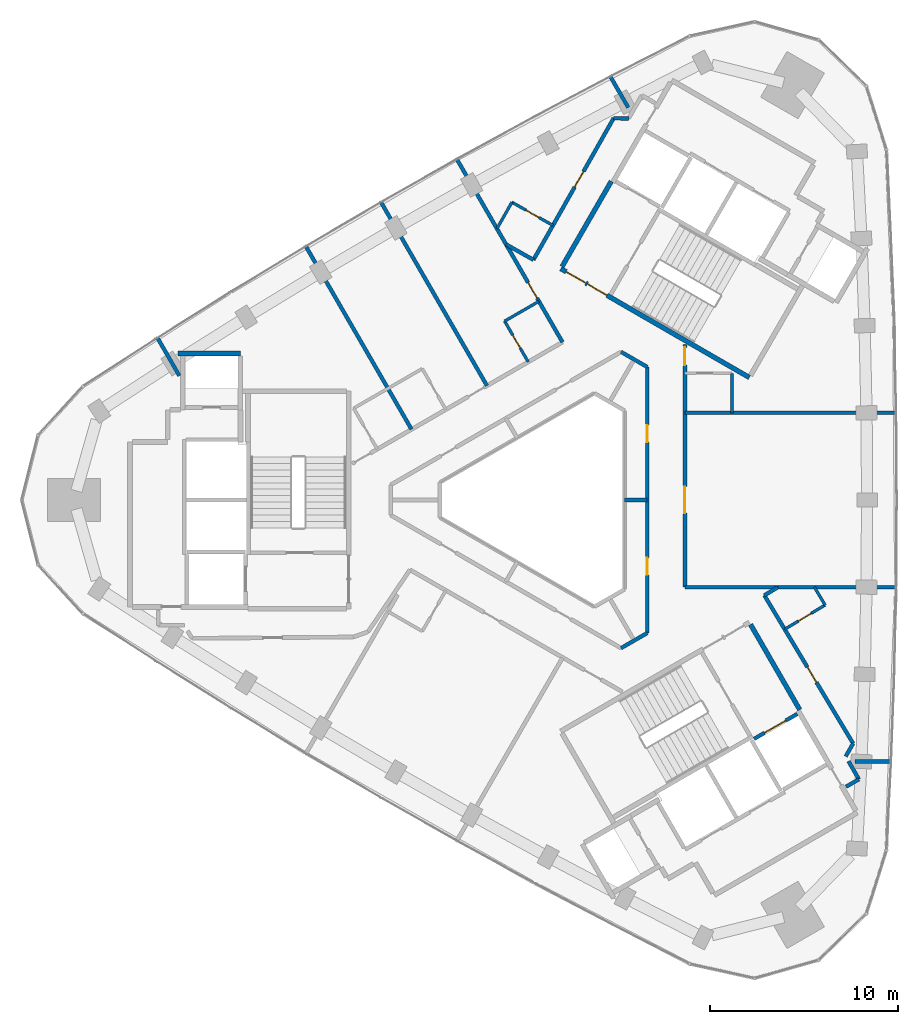
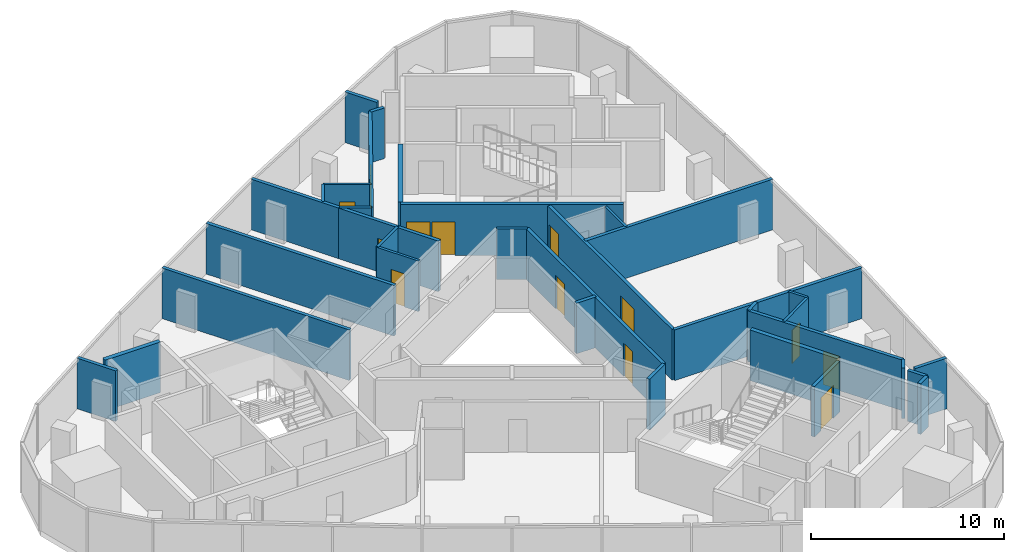
# One storey, part 9 of 11: 35 walls, 13 doors, 13 openings.
"""IFC4 building model written with IfcOpenShell, lengths in metres."""

from ifc_helpers import new_model, si_unit, direction, frame, frame_2d, origin, place, context, subcontext, project, spatial, rectangle, extrude, material, layer, layer_set, type_object, element, fill, save


model = new_model("IFC4")

# Units and contexts
model_context = context("Model", 3, precision=1e-05, world=origin(), true_north=direction((0.0, 1.0)))
body_context = subcontext(model_context, "Body", "Model", "MODEL_VIEW")
ifc_project = project(units=[si_unit("LENGTHUNIT", "METRE"), si_unit("AREAUNIT", "SQUARE_METRE"), si_unit("VOLUMEUNIT", "CUBIC_METRE"), si_unit("PLANEANGLEUNIT", "RADIAN"), si_unit("MASSUNIT", "GRAM", prefix="KILO")], contexts=[model_context])

# Site, building, storey
site_placement = place(None, origin())
site = spatial("IfcSite", under=ifc_project, at=site_placement, CompositionType="ELEMENT")
building_placement = place(site_placement, origin())
building = spatial("IfcBuilding", under=site, at=building_placement, Name="Tamra Quay Hotel Tower", CompositionType="ELEMENT")
storey_placement = place(building_placement, frame((0.0, 0.0, 253.800048828125)))
storey = spatial("IfcBuildingStorey", under=building, at=storey_placement, Name="L64", CompositionType="ELEMENT", Elevation=253.800048828125)

# Wall, opening, door
ifc_material_1 = material(Name="Concrete M70", Category="concrete")
ifc_layer_1 = layer(ifc_material_1, 0.199951171875)
ifc_layer_set_1 = layer_set([ifc_layer_1], Name="Concrete M70 core wall 200")
wall_type_1 = type_object("IfcWallType", Name="Concrete M70 core wall 200", PredefinedType="SHEAR", material=ifc_layer_set_1)
wall_1_placement = place(storey_placement, frame((10.666015625, -12.677734375, 0.0), z_axis=(0.0, 0.0, 1.0), x_axis=(0.866018407898, 0.500012117035, 0.0)))
wall_1 = element("IfcWall", 1, at=wall_1_placement, inside=storey, type_object=wall_type_1, Name="CW2", PredefinedType="SHEAR", context=body_context, shape_type="SweptSolid", body=[
    extrude(rectangle(XDim=2.65087890625, YDim=0.199951171875, at=frame_2d((1.325439453125, 0.0))), origin(), (0.0, 0.0, 1.0), 3.199951171875),
])
opening_1_placement = place(wall_1_placement, frame((0.65185546875, 0.0, 0.0)))
opening_1 = element("IfcOpeningElement", 2, at=opening_1_placement, cuts=wall_1, Name="Opening LD", PredefinedType="OPENING", context=body_context, shape_type="SweptSolid", body=[
    extrude(rectangle(XDim=1.300048828125, YDim=2.10009765625, at=frame_2d((0.64990234375, 1.050048828125))), frame((0.0, 0.10986328125, 0.0), z_axis=(0.0, -1.0, 0.0), x_axis=(1.0, 0.0, 0.0)), (0.0, 0.0, 1.0), 0.219970703125),
])
ifc_material_2 = material(Name="Landing door LD 1300 sliding to right")
door_type_1 = type_object("IfcDoorType", Name="Landing door LD 1300 sliding to right", OperationType="NOTDEFINED", PredefinedType="DOOR", material=ifc_material_2)
door_1_placement = place(opening_1_placement, origin())
door_1 = element("IfcDoor", 3, at=door_1_placement, inside=storey, type_object=door_type_1, Name="LD", OperationType="SLIDING_TO_RIGHT", OverallHeight=2.10009765625, OverallWidth=1.300048828125, PredefinedType="DOOR", context=body_context, shape_type="SweptSolid", body=[
    extrude(rectangle(XDim=1.300048828125, YDim=2.10009765625, at=frame_2d((0.64990234375, 1.050048828125))), frame((0.0, 0.02490234375, 0.0), z_axis=(0.0, -1.0, 0.0), x_axis=(1.0, 0.0, 0.0)), (0.0, 0.0, 1.0), 0.050048828125),
])
fill(opening_1, door_1)

# Wall
ifc_layer_2 = layer(ifc_material_1, 0.25)
ifc_layer_set_2 = layer_set([ifc_layer_2], Name="Concrete M70 core wall 250")
wall_type_2 = type_object("IfcWallType", Name="Concrete M70 core wall 250", PredefinedType="SHEAR", material=ifc_layer_set_2)
wall_2_placement = place(storey_placement, frame((-19.900390625, 7.77490234375, 0.0), z_axis=(0.0, 0.0, 1.0), x_axis=(1.0, 0.0, 0.0)))
element("IfcWall", 4, at=wall_2_placement, inside=storey, type_object=wall_type_2, Name="CW1", PredefinedType="SHEAR", context=body_context, shape_type="SweptSolid", body=[
    extrude(rectangle(XDim=3.31298828125, YDim=0.25, at=frame_2d((1.656494140625, 0.0))), origin(), (0.0, 0.0, 1.0), 3.199951171875),
])

# Wall, openings, doors
wall_3_placement = place(storey_placement, frame((10.419921875, 6.497802734375, 0.0), z_axis=(0.0, 0.0, 1.0), x_axis=(-0.866021906294, 0.500006057782, 0.0)))
wall_3 = element("IfcWall", 5, at=wall_3_placement, inside=storey, type_object=wall_type_2, Name="CW1", PredefinedType="SHEAR", context=body_context, shape_type="SweptSolid", body=[
    extrude(rectangle(XDim=11.550048828125, YDim=0.25, at=frame_2d((5.77490234375, 0.0))), origin(), (0.0, 0.0, 1.0), 3.199951171875),
])
opening_2_placement = place(wall_3_placement, frame((10.02490234375, 0.0, 0.0)))
opening_2 = element("IfcOpeningElement", 6, at=opening_2_placement, cuts=wall_3, Name="Opening FD1", PredefinedType="OPENING", context=body_context, shape_type="SweptSolid", body=[
    extrude(rectangle(XDim=1.199951171875, YDim=2.10009765625, at=frame_2d((0.60009765625, 1.050048828125))), frame((0.0, 0.135009765625, 0.0), z_axis=(0.0, -1.0, 0.0), x_axis=(1.0, 0.0, 0.0)), (0.0, 0.0, 1.0), 0.27001953125),
])
opening_3_placement = place(wall_3_placement, frame((8.724853515625, 0.0, 0.0)))
opening_3 = element("IfcOpeningElement", 7, at=opening_3_placement, cuts=wall_3, Name="Opening FD1", PredefinedType="OPENING", context=body_context, shape_type="SweptSolid", body=[
    extrude(rectangle(XDim=1.199951171875, YDim=2.10009765625, at=frame_2d((0.60009765625, 1.050048828125))), frame((0.0, 0.135009765625, 0.0), z_axis=(0.0, -1.0, 0.0), x_axis=(1.0, 0.0, 0.0)), (0.0, 0.0, 1.0), 0.27001953125),
])
ifc_material_3 = material(Name="Core door FD1 1200x2100 LH")
door_type_2 = type_object("IfcDoorType", Name="Core door FD1 1200x2100 LH", OperationType="NOTDEFINED", PredefinedType="DOOR", material=ifc_material_3)
door_2_placement = place(opening_2_placement, origin())
door_2 = element("IfcDoor", 8, at=door_2_placement, inside=storey, type_object=door_type_2, Name="FD1", OperationType="SINGLE_SWING_LEFT", OverallHeight=2.10009765625, OverallWidth=1.199951171875, PredefinedType="DOOR", context=body_context, shape_type="SweptSolid", body=[
    extrude(rectangle(XDim=1.199951171875, YDim=2.10009765625, at=frame_2d((0.60009765625, 1.050048828125))), frame((0.0, 0.02490234375, 0.0), z_axis=(0.0, -1.0, 0.0), x_axis=(1.0, 0.0, 0.0)), (0.0, 0.0, 1.0), 0.050048828125),
])
fill(opening_2, door_2)
ifc_material_4 = material(Name="Core door FD1 1200x2100 RH")
door_type_3 = type_object("IfcDoorType", Name="Core door FD1 1200x2100 RH", OperationType="NOTDEFINED", PredefinedType="DOOR", material=ifc_material_4)
door_3_placement = place(opening_3_placement, origin())
door_3 = element("IfcDoor", 9, at=door_3_placement, inside=storey, type_object=door_type_3, Name="FD1", OperationType="SINGLE_SWING_RIGHT", OverallHeight=2.10009765625, OverallWidth=1.199951171875, PredefinedType="DOOR", context=body_context, shape_type="SweptSolid", body=[
    extrude(rectangle(XDim=1.199951171875, YDim=2.10009765625, at=frame_2d((0.60009765625, 1.050048828125))), frame((0.0, 0.02490234375, 0.0), z_axis=(0.0, -1.0, 0.0), x_axis=(1.0, 0.0, 0.0)), (0.0, 0.0, 1.0), 0.050048828125),
])
fill(opening_3, door_3)

# Walls
for number, where, z_axis, x_axis, name in (
    (10, (0.47998046875, 12.38134765625, 0.0), (0.0, 0.0, 1.0), (0.49999885962, 0.866026062182, 0.0), "CW1"),
    (11, (10.482666015625, -6.6064453125, 0.0), (0.0, 0.0, 1.0), (0.49999885962, -0.866026062182, 0.0), "CW1"),
):
    element("IfcWall", number, at=place(storey_placement, frame(where, z_axis=z_axis, x_axis=x_axis)), inside=storey, type_object=wall_type_2, Name=name, PredefinedType="SHEAR", context=body_context, shape_type="SweptSolid", body=[
        extrude(rectangle(XDim=5.224609375, YDim=0.25, at=frame_2d((2.6123046875, 0.0))), origin(), (0.0, 0.0, 1.0), 3.199951171875),
    ])

# Wall, opening, door
ifc_material_5 = material(Name="Partition corridor wall")
ifc_layer_3 = layer(ifc_material_5, 0.199951171875)
ifc_layer_set_3 = layer_set([ifc_layer_3], Name="Partition corridor wall")
wall_type_3 = type_object("IfcWallType", Name="Partition corridor wall", PredefinedType="PARTITIONING", material=ifc_layer_set_3)
wall_4_placement = place(storey_placement, frame((-2.48291015625, 13.551025390625, 0.0), z_axis=(0.0, 0.0, 1.0), x_axis=(0.499878046143, -0.866095802429, 0.0)))
wall_4 = element("IfcWall", 12, at=wall_4_placement, inside=storey, type_object=wall_type_3, Name="W-C", PredefinedType="PARTITIONING", context=body_context, shape_type="SweptSolid", body=[
    extrude(rectangle(XDim=5.9765625, YDim=0.199951171875, at=frame_2d((2.98828125, 0.0))), origin(), (0.0, 0.0, 1.0), 3.199951171875),
])
opening_4_placement = place(wall_4_placement, frame((2.32666015625, 0.0, 0.0)))
opening_4 = element("IfcOpeningElement", 13, at=opening_4_placement, cuts=wall_4, Name="Opening L64-D003", PredefinedType="OPENING", context=body_context, shape_type="SweptSolid", body=[
    extrude(rectangle(XDim=0.949951171875, YDim=2.10009765625, at=frame_2d((0.47509765625, 1.050048828125))), frame((0.0, 0.10986328125, 0.0), z_axis=(0.0, -1.0, 0.0), x_axis=(1.0, 0.0, 0.0)), (0.0, 0.0, 1.0), 0.219970703125),
])
ifc_material_6 = material(Name="Door guest room 950x2100")
door_type_4 = type_object("IfcDoorType", Name="Door guest room 950x2100", OperationType="NOTDEFINED", PredefinedType="DOOR", material=ifc_material_6)
door_4_placement = place(opening_4_placement, frame((0.949951171875, 0.0, 0.0), z_axis=(0.0, 0.0, 1.0), x_axis=(-1.0, 0.0, 0.0)))
door_4 = element("IfcDoor", 14, at=door_4_placement, inside=storey, type_object=door_type_4, Name="L64-D003", OperationType="SINGLE_SWING_LEFT", OverallHeight=2.10009765625, OverallWidth=0.949951171875, PredefinedType="DOOR", context=body_context, shape_type="SweptSolid", body=[
    extrude(rectangle(XDim=0.949951171875, YDim=2.10009765625, at=frame_2d((0.47509765625, 1.050048828125))), frame((0.0, 0.02490234375, 0.0), z_axis=(0.0, -1.0, 0.0), x_axis=(1.0, 0.0, 0.0)), (0.0, 0.0, 1.0), 0.050048828125),
])
fill(opening_4, door_4)

# Wall
wall_5_placement = place(storey_placement, frame((-2.47802734375, 13.555908203125, 0.0), z_axis=(0.0, 0.0, 1.0), x_axis=(0.870609500021, -0.491974692919, 0.0)))
element("IfcWall", 15, at=wall_5_placement, inside=storey, type_object=wall_type_3, Name="W-C", PredefinedType="PARTITIONING", context=body_context, shape_type="SweptSolid", body=[
    extrude(rectangle(XDim=1.656494140625, YDim=0.199951171875, at=frame_2d((0.828125, 0.0))), origin(), (0.0, 0.0, 1.0), 3.199951171875),
])

# Wall, opening, door
wall_6_placement = place(storey_placement, frame((-1.03662109375, 12.7412109375, 0.0), z_axis=(0.0, 0.0, 1.0), x_axis=(0.492679417867, 0.870210888929, 0.0)))
wall_6 = element("IfcWall", 16, at=wall_6_placement, inside=storey, type_object=wall_type_3, Name="W-C", PredefinedType="PARTITIONING", context=body_context, shape_type="SweptSolid", body=[
    extrude(rectangle(XDim=8.6357421875, YDim=0.199951171875, at=frame_2d((4.31787109375, 0.0))), origin(), (0.0, 0.0, 1.0), 3.199951171875),
])
opening_5_placement = place(wall_6_placement, frame((4.4375, 0.0, 0.0)))
opening_5 = element("IfcOpeningElement", 17, at=opening_5_placement, cuts=wall_6, Name="Opening L64-D001", PredefinedType="OPENING", context=body_context, shape_type="SweptSolid", body=[
    extrude(rectangle(XDim=0.949951171875, YDim=2.10009765625, at=frame_2d((0.47509765625, 1.050048828125))), frame((0.0, 0.10986328125, 0.0), z_axis=(0.0, -1.0, 0.0), x_axis=(1.0, 0.0, 0.0)), (0.0, 0.0, 1.0), 0.219970703125),
])
door_5_placement = place(opening_5_placement, origin())
door_5 = element("IfcDoor", 18, at=door_5_placement, inside=storey, type_object=door_type_4, Name="L64-D001", OperationType="SINGLE_SWING_LEFT", OverallHeight=2.10009765625, OverallWidth=0.949951171875, PredefinedType="DOOR", context=body_context, shape_type="SweptSolid", body=[
    extrude(rectangle(XDim=0.949951171875, YDim=2.10009765625, at=frame_2d((0.47509765625, 1.050048828125))), frame((0.0, 0.02490234375, 0.0), z_axis=(0.0, -1.0, 0.0), x_axis=(1.0, 0.0, 0.0)), (0.0, 0.0, 1.0), 0.050048828125),
])
fill(opening_5, door_5)

# Walls
wall_7_placement = place(storey_placement, frame((3.218994140625, 20.256103515625, 0.0), z_axis=(0.0, 0.0, 1.0), x_axis=(0.999821939894, -0.018870307541, 0.0)))
element("IfcWall", 19, at=wall_7_placement, inside=storey, type_object=wall_type_3, Name="W-C", PredefinedType="PARTITIONING", context=body_context, shape_type="SweptSolid", body=[
    extrude(rectangle(XDim=0.80224609375, YDim=0.199951171875, at=frame_2d((0.401123046875, 0.0))), origin(), (0.0, 0.0, 1.0), 3.199951171875),
])
for number, where, z_axis, x_axis, name in (
    (20, (3.6123046875, -7.859375, 0.0), (0.0, 0.0, 1.0), (0.866002901518, 0.500038973044, 0.0), "W-C"),
    (21, (3.6123046875, 7.859375, 0.0), (0.0, 0.0, 1.0), (0.866002901518, -0.500038973044, 0.0), "W-C"),
):
    element("IfcWall", number, at=place(storey_placement, frame(where, z_axis=z_axis, x_axis=x_axis)), inside=storey, type_object=wall_type_3, Name=name, PredefinedType="PARTITIONING", context=body_context, shape_type="SweptSolid", body=[
        extrude(rectangle(XDim=1.602294921875, YDim=0.199951171875, at=frame_2d((0.80126953125, 0.0))), origin(), (0.0, 0.0, 1.0), 3.199951171875),
    ])

# Wall, openings, doors
wall_8_placement = place(storey_placement, frame((5.0, -7.05810546875, 0.0), z_axis=(0.0, 0.0, 1.0), x_axis=(0.0, 1.0, 0.0)))
wall_8 = element("IfcWall", 22, at=wall_8_placement, inside=storey, type_object=wall_type_3, Name="W-C", PredefinedType="PARTITIONING", context=body_context, shape_type="SweptSolid", body=[
    extrude(rectangle(XDim=14.1162109375, YDim=0.199951171875, at=frame_2d((7.05810546875, 0.0))), origin(), (0.0, 0.0, 1.0), 3.199951171875),
])
opening_6_placement = place(wall_8_placement, frame((3.0849609375, 0.0, 0.0)))
opening_6 = element("IfcOpeningElement", 23, at=opening_6_placement, cuts=wall_8, Name="Opening L64-D018", PredefinedType="OPENING", context=body_context, shape_type="SweptSolid", body=[
    extrude(rectangle(XDim=0.89990234375, YDim=2.10009765625, at=frame_2d((0.449951171875, 1.050048828125))), frame((0.0, 0.10986328125, 0.0), z_axis=(0.0, -1.0, 0.0), x_axis=(1.0, 0.0, 0.0)), (0.0, 0.0, 1.0), 0.219970703125),
])
opening_7_placement = place(wall_8_placement, frame((10.131103515625, 0.0, 0.0)))
opening_7 = element("IfcOpeningElement", 24, at=opening_7_placement, cuts=wall_8, Name="Opening L64-D019", PredefinedType="OPENING", context=body_context, shape_type="SweptSolid", body=[
    extrude(rectangle(XDim=0.89990234375, YDim=2.10009765625, at=frame_2d((0.449951171875, 1.050048828125))), frame((0.0, 0.10986328125, 0.0), z_axis=(0.0, -1.0, 0.0), x_axis=(1.0, 0.0, 0.0)), (0.0, 0.0, 1.0), 0.219970703125),
])
ifc_material_7 = material(Name="Door service room 900x2100")
door_type_5 = type_object("IfcDoorType", Name="Door service room 900x2100", OperationType="NOTDEFINED", PredefinedType="DOOR", material=ifc_material_7)
door_6_placement = place(opening_6_placement, origin())
door_6 = element("IfcDoor", 25, at=door_6_placement, inside=storey, type_object=door_type_5, Name="L64-D018", OperationType="SINGLE_SWING_LEFT", OverallHeight=2.10009765625, OverallWidth=0.89990234375, PredefinedType="DOOR", context=body_context, shape_type="SweptSolid", body=[
    extrude(rectangle(XDim=0.89990234375, YDim=2.10009765625, at=frame_2d((0.449951171875, 1.050048828125))), frame((0.0, 0.02490234375, 0.0), z_axis=(0.0, -1.0, 0.0), x_axis=(1.0, 0.0, 0.0)), (0.0, 0.0, 1.0), 0.050048828125),
])
fill(opening_6, door_6)
door_7_placement = place(opening_7_placement, origin())
door_7 = element("IfcDoor", 26, at=door_7_placement, inside=storey, type_object=door_type_5, Name="L64-D019", OperationType="SINGLE_SWING_LEFT", OverallHeight=2.10009765625, OverallWidth=0.89990234375, PredefinedType="DOOR", context=body_context, shape_type="SweptSolid", body=[
    extrude(rectangle(XDim=0.89990234375, YDim=2.10009765625, at=frame_2d((0.449951171875, 1.050048828125))), frame((0.0, 0.02490234375, 0.0), z_axis=(0.0, -1.0, 0.0), x_axis=(1.0, 0.0, 0.0)), (0.0, 0.0, 1.0), 0.050048828125),
])
fill(opening_7, door_7)

wall_9_placement = place(storey_placement, frame((7.0, -4.625, 0.0), z_axis=(0.0, 0.0, 1.0), x_axis=(0.0, 1.0, 0.0)))
wall_9 = element("IfcWall", 27, at=wall_9_placement, inside=storey, type_object=wall_type_3, Name="W-C", PredefinedType="PARTITIONING", context=body_context, shape_type="SweptSolid", body=[
    extrude(rectangle(XDim=12.8837890625, YDim=0.199951171875, at=frame_2d((6.44189453125, 0.0))), origin(), (0.0, 0.0, 1.0), 3.199951171875),
])
opening_8_placement = place(wall_9_placement, frame((3.930908203125, 0.0, 0.0)))
opening_8 = element("IfcOpeningElement", 28, at=opening_8_placement, cuts=wall_9, Name="Opening L64-D015", PredefinedType="OPENING", context=body_context, shape_type="SweptSolid", body=[
    extrude(rectangle(XDim=1.39990234375, YDim=2.10009765625, at=frame_2d((0.699951171875, 1.050048828125))), frame((0.0, 0.10986328125, 0.0), z_axis=(0.0, -1.0, 0.0), x_axis=(1.0, 0.0, 0.0)), (0.0, 0.0, 1.0), 0.219970703125),
])
opening_9_placement = place(wall_9_placement, frame((11.776611328125, 0.0, 0.0)))
opening_9 = element("IfcOpeningElement", 29, at=opening_9_placement, cuts=wall_9, Name="Opening L64-D016", PredefinedType="OPENING", context=body_context, shape_type="SweptSolid", body=[
    extrude(rectangle(XDim=0.949951171875, YDim=2.10009765625, at=frame_2d((0.47509765625, 1.050048828125))), frame((0.0, 0.10986328125, 0.0), z_axis=(0.0, -1.0, 0.0), x_axis=(1.0, 0.0, 0.0)), (0.0, 0.0, 1.0), 0.219970703125),
])
ifc_material_8 = material(Name="Door double leaf 1400x2100")
door_type_6 = type_object("IfcDoorType", Name="Door double leaf 1400x2100", OperationType="DOUBLE_DOOR_SINGLE_SWING", PredefinedType="DOOR", material=ifc_material_8)
door_8_placement = place(opening_8_placement, frame((1.39990234375, 0.0, 0.0), z_axis=(0.0, 0.0, 1.0), x_axis=(-1.0, 0.0, 0.0)))
door_8 = element("IfcDoor", 30, at=door_8_placement, inside=storey, type_object=door_type_6, Name="L64-D015", OperationType="DOUBLE_DOOR_SINGLE_SWING", OverallHeight=2.10009765625, OverallWidth=1.39990234375, PredefinedType="DOOR", context=body_context, shape_type="SweptSolid", body=[
    extrude(rectangle(XDim=1.39990234375, YDim=2.10009765625, at=frame_2d((0.699951171875, 1.050048828125))), frame((0.0, 0.02490234375, 0.0), z_axis=(0.0, -1.0, 0.0), x_axis=(1.0, 0.0, 0.0)), (0.0, 0.0, 1.0), 0.050048828125),
])
fill(opening_8, door_8)
door_9_placement = place(opening_9_placement, frame((0.949951171875, 0.0, 0.0), z_axis=(0.0, 0.0, 1.0), x_axis=(-1.0, 0.0, 0.0)))
door_9 = element("IfcDoor", 31, at=door_9_placement, inside=storey, type_object=door_type_4, Name="L64-D016", OperationType="SINGLE_SWING_LEFT", OverallHeight=2.10009765625, OverallWidth=0.949951171875, PredefinedType="DOOR", context=body_context, shape_type="SweptSolid", body=[
    extrude(rectangle(XDim=0.949951171875, YDim=2.10009765625, at=frame_2d((0.47509765625, 1.050048828125))), frame((0.0, 0.02490234375, 0.0), z_axis=(0.0, -1.0, 0.0), x_axis=(1.0, 0.0, 0.0)), (0.0, 0.0, 1.0), 0.050048828125),
])
fill(opening_9, door_9)

# Walls
wall_10_placement = place(storey_placement, frame((7.0, -4.625, 0.0), z_axis=(0.0, 0.0, 1.0), x_axis=(1.0, 0.0, 0.0)))
element("IfcWall", 32, at=wall_10_placement, inside=storey, type_object=wall_type_3, Name="W-C", PredefinedType="PARTITIONING", context=body_context, shape_type="SweptSolid", body=[
    extrude(rectangle(XDim=4.927978515625, YDim=0.199951171875, at=frame_2d((2.4638671875, 0.0))), origin(), (0.0, 0.0, 1.0), 3.199951171875),
])
wall_11_placement = place(storey_placement, frame((11.216064453125, -5.06005859375, 0.0), z_axis=(0.0, 0.0, 1.0), x_axis=(0.857051740658, 0.515230350265, 0.0)))
element("IfcWall", 33, at=wall_11_placement, inside=storey, type_object=wall_type_3, Name="W-C", PredefinedType="PARTITIONING", context=body_context, shape_type="SweptSolid", body=[
    extrude(rectangle(XDim=0.83056640625, YDim=0.199951171875, at=frame_2d((0.415283203125, 0.0))), origin(), (0.0, 0.0, 1.0), 3.199951171875),
])

# Wall, opening, door
wall_12_placement = place(storey_placement, frame((11.21630859375, -5.059814453125, 0.0), z_axis=(0.0, 0.0, 1.0), x_axis=(0.514001858113, -0.857789070726, 0.0)))
wall_12 = element("IfcWall", 34, at=wall_12_placement, inside=storey, type_object=wall_type_3, Name="W-C", PredefinedType="PARTITIONING", context=body_context, shape_type="SweptSolid", body=[
    extrude(rectangle(XDim=9.160888671875, YDim=0.199951171875, at=frame_2d((4.58056640625, 0.0))), origin(), (0.0, 0.0, 1.0), 3.199951171875),
])
opening_10_placement = place(wall_12_placement, frame((4.43701171875, 0.0, 0.0)))
opening_10 = element("IfcOpeningElement", 35, at=opening_10_placement, cuts=wall_12, Name="Opening L64-D013", PredefinedType="OPENING", context=body_context, shape_type="SweptSolid", body=[
    extrude(rectangle(XDim=0.949951171875, YDim=2.10009765625, at=frame_2d((0.47509765625, 1.050048828125))), frame((0.0, 0.10986328125, 0.0), z_axis=(0.0, -1.0, 0.0), x_axis=(1.0, 0.0, 0.0)), (0.0, 0.0, 1.0), 0.219970703125),
])
door_10_placement = place(opening_10_placement, origin())
door_10 = element("IfcDoor", 36, at=door_10_placement, inside=storey, type_object=door_type_4, Name="L64-D013", OperationType="SINGLE_SWING_LEFT", OverallHeight=2.10009765625, OverallWidth=0.949951171875, PredefinedType="DOOR", context=body_context, shape_type="SweptSolid", body=[
    extrude(rectangle(XDim=0.949951171875, YDim=2.10009765625, at=frame_2d((0.47509765625, 1.050048828125))), frame((0.0, 0.02490234375, 0.0), z_axis=(0.0, -1.0, 0.0), x_axis=(1.0, 0.0, 0.0)), (0.0, 0.0, 1.0), 0.050048828125),
])
fill(opening_10, door_10)

# Walls
wall_13_placement = place(storey_placement, frame((15.5498046875, -15.213134765625, 0.0), z_axis=(0.0, 0.0, 1.0), x_axis=(0.865989998118, 0.500061319399, 0.0)))
element("IfcWall", 37, at=wall_13_placement, inside=storey, type_object=wall_type_3, Name="W-C", PredefinedType="PARTITIONING", context=body_context, shape_type="SweptSolid", body=[
    extrude(rectangle(XDim=0.7900390625, YDim=0.199951171875, at=frame_2d((0.39501953125, 0.0))), origin(), (0.0, 0.0, 1.0), 3.199951171875),
])
wall_14_placement = place(storey_placement, frame((15.531982421875, -13.60302734375, 0.0), z_axis=(0.0, 0.0, 1.0), x_axis=(0.498203662485, 0.867060038686, 0.0)))
element("IfcWall", 38, at=wall_14_placement, inside=storey, type_object=wall_type_3, Name="W-C", PredefinedType="PARTITIONING", context=body_context, shape_type="SweptSolid", body=[
    extrude(rectangle(XDim=0.7890625, YDim=0.199951171875, at=frame_2d((0.39453125, 0.0))), origin(), (0.0, 0.0, 1.0), 3.199951171875),
])
wall_15_placement = place(storey_placement, frame((15.680908203125, -13.862060546875, 0.0), z_axis=(0.0, 0.0, 1.0), x_axis=(0.500678970179, -0.86563304513, 0.0)))
element("IfcWall", 39, at=wall_15_placement, inside=storey, type_object=wall_type_3, Name="W-C", PredefinedType="PARTITIONING", context=body_context, shape_type="SweptSolid", body=[
    extrude(rectangle(XDim=1.1044921875, YDim=0.199951171875, at=frame_2d((0.55224609375, 0.0))), origin(), (0.0, 0.0, 1.0), 3.199951171875),
])
ifc_material_9 = material(Name="Partition en-suite wall")
ifc_layer_4 = layer(ifc_material_9, 0.14990234375)
ifc_layer_set_4 = layer_set([ifc_layer_4], Name="Partition en-suite wall")
wall_type_4 = type_object("IfcWallType", Name="Partition en-suite wall", PredefinedType="PARTITIONING", material=ifc_layer_set_4)
wall_16_placement = place(storey_placement, frame((-2.971923828125, 14.39794921875, 0.0), z_axis=(0.0, 0.0, 1.0), x_axis=(0.492741112884, 0.870175956732, 0.0)))
element("IfcWall", 40, at=wall_16_placement, inside=storey, type_object=wall_type_4, Name="W-E", PredefinedType="PARTITIONING", context=body_context, shape_type="SweptSolid", body=[
    extrude(rectangle(XDim=1.611328125, YDim=0.14990234375, at=frame_2d((0.8056640625, 0.0))), origin(), (0.0, 0.0, 1.0), 3.199951171875),
])

# Wall, opening, door
wall_17_placement = place(storey_placement, frame((-2.56396484375, 9.489990234375, 0.0), z_axis=(0.0, 0.0, 1.0), x_axis=(0.500004234368, -0.866022959057, 0.0)))
wall_17 = element("IfcWall", 41, at=wall_17_placement, inside=storey, type_object=wall_type_4, Name="W-E", PredefinedType="PARTITIONING", context=body_context, shape_type="SweptSolid", body=[
    extrude(rectangle(XDim=2.5, YDim=0.14990234375, at=frame_2d((1.25, 0.0))), origin(), (0.0, 0.0, 1.0), 3.199951171875),
])
opening_11_placement = place(wall_17_placement, frame((0.850341796875, 0.0, 0.0)))
opening_11 = element("IfcOpeningElement", 42, at=opening_11_placement, cuts=wall_17, Name="Opening L64-D004", PredefinedType="OPENING", context=body_context, shape_type="SweptSolid", body=[
    extrude(rectangle(XDim=0.800048828125, YDim=2.10009765625, at=frame_2d((0.39990234375, 1.050048828125))), frame((0.0, 0.0849609375, 0.0), z_axis=(0.0, -1.0, 0.0), x_axis=(1.0, 0.0, 0.0)), (0.0, 0.0, 1.0), 0.169921875),
])
ifc_material_10 = material(Name="Door en-suite 800x2100")
door_type_7 = type_object("IfcDoorType", Name="Door en-suite 800x2100", OperationType="NOTDEFINED", PredefinedType="DOOR", material=ifc_material_10)
door_11_placement = place(opening_11_placement, frame((0.800048828125, 0.0, 0.0), z_axis=(0.0, 0.0, 1.0), x_axis=(-1.0, 0.0, 0.0)))
door_11 = element("IfcDoor", 43, at=door_11_placement, inside=storey, type_object=door_type_7, Name="L64-D004", OperationType="SINGLE_SWING_LEFT", OverallHeight=2.10009765625, OverallWidth=0.800048828125, PredefinedType="DOOR", context=body_context, shape_type="SweptSolid", body=[
    extrude(rectangle(XDim=0.800048828125, YDim=2.10009765625, at=frame_2d((0.39990234375, 1.050048828125))), frame((0.0, 0.02490234375, 0.0), z_axis=(0.0, -1.0, 0.0), x_axis=(1.0, 0.0, 0.0)), (0.0, 0.0, 1.0), 0.050048828125),
])
fill(opening_11, door_11)

# Wall
wall_18_placement = place(storey_placement, frame((-2.56396484375, 9.489990234375, 0.0), z_axis=(0.0, 0.0, 1.0), x_axis=(0.866038466041, 0.499977374825, 0.0)))
element("IfcWall", 44, at=wall_18_placement, inside=storey, type_object=wall_type_4, Name="W-E", PredefinedType="PARTITIONING", context=body_context, shape_type="SweptSolid", body=[
    extrude(rectangle(XDim=2.10009765625, YDim=0.14990234375, at=frame_2d((1.050048828125, 0.0))), origin(), (0.0, 0.0, 1.0), 3.199951171875),
])

# Wall, opening, door
wall_19_placement = place(storey_placement, frame((-2.177978515625, 15.800048828125, 0.0), z_axis=(0.0, 0.0, 1.0), x_axis=(0.870218946292, -0.492665186019, 0.0)))
wall_19 = element("IfcWall", 45, at=wall_19_placement, inside=storey, type_object=wall_type_4, Name="W-E", PredefinedType="PARTITIONING", context=body_context, shape_type="SweptSolid", body=[
    extrude(rectangle(XDim=2.50048828125, YDim=0.14990234375, at=frame_2d((1.250244140625, 0.0))), origin(), (0.0, 0.0, 1.0), 3.199951171875),
])
opening_12_placement = place(wall_19_placement, frame((0.85009765625, 0.0, 0.0)))
opening_12 = element("IfcOpeningElement", 46, at=opening_12_placement, cuts=wall_19, Name="Opening L64-D002", PredefinedType="OPENING", context=body_context, shape_type="SweptSolid", body=[
    extrude(rectangle(XDim=0.800048828125, YDim=2.10009765625, at=frame_2d((0.39990234375, 1.050048828125))), frame((0.0, 0.0849609375, 0.0), z_axis=(0.0, -1.0, 0.0), x_axis=(1.0, 0.0, 0.0)), (0.0, 0.0, 1.0), 0.169921875),
])
door_12_placement = place(opening_12_placement, origin())
door_12 = element("IfcDoor", 47, at=door_12_placement, inside=storey, type_object=door_type_7, Name="L64-D002", OperationType="SINGLE_SWING_LEFT", OverallHeight=2.10009765625, OverallWidth=0.800048828125, PredefinedType="DOOR", context=body_context, shape_type="SweptSolid", body=[
    extrude(rectangle(XDim=0.800048828125, YDim=2.10009765625, at=frame_2d((0.39990234375, 1.050048828125))), frame((0.0, 0.02490234375, 0.0), z_axis=(0.0, -1.0, 0.0), x_axis=(1.0, 0.0, 0.0)), (0.0, 0.0, 1.0), 0.050048828125),
])
fill(opening_12, door_12)

# Wall
wall_20_placement = place(storey_placement, frame((9.5, 4.6259765625, 0.0), z_axis=(0.0, 0.0, 1.0), x_axis=(0.0, 1.0, 0.0)))
element("IfcWall", 48, at=wall_20_placement, inside=storey, type_object=wall_type_4, Name="W-E", PredefinedType="PARTITIONING", context=body_context, shape_type="SweptSolid", body=[
    extrude(rectangle(XDim=2.096923828125, YDim=0.14990234375, at=frame_2d((1.04833984375, 0.0))), origin(), (0.0, 0.0, 1.0), 3.199951171875),
])

# Wall, opening, door
wall_21_placement = place(storey_placement, frame((12.294921875, -6.860107421875, 0.0), z_axis=(0.0, 0.0, 1.0), x_axis=(0.857820116165, 0.513950044559, 0.0)))
wall_21 = element("IfcWall", 49, at=wall_21_placement, inside=storey, type_object=wall_type_4, Name="W-E", PredefinedType="PARTITIONING", context=body_context, shape_type="SweptSolid", body=[
    extrude(rectangle(XDim=2.50048828125, YDim=0.14990234375, at=frame_2d((1.250244140625, 0.0))), origin(), (0.0, 0.0, 1.0), 3.199951171875),
])
opening_13_placement = place(wall_21_placement, frame((0.85009765625, 0.0, 0.0)))
opening_13 = element("IfcOpeningElement", 50, at=opening_13_placement, cuts=wall_21, Name="Opening L64-D014", PredefinedType="OPENING", context=body_context, shape_type="SweptSolid", body=[
    extrude(rectangle(XDim=0.800048828125, YDim=2.10009765625, at=frame_2d((0.39990234375, 1.050048828125))), frame((0.0, 0.0849609375, 0.0), z_axis=(0.0, -1.0, 0.0), x_axis=(1.0, 0.0, 0.0)), (0.0, 0.0, 1.0), 0.169921875),
])
door_13_placement = place(opening_13_placement, frame((0.800048828125, 0.0, 0.0), z_axis=(0.0, 0.0, 1.0), x_axis=(-1.0, 0.0, 0.0)))
door_13 = element("IfcDoor", 51, at=door_13_placement, inside=storey, type_object=door_type_7, Name="L64-D014", OperationType="SINGLE_SWING_LEFT", OverallHeight=2.10009765625, OverallWidth=0.800048828125, PredefinedType="DOOR", context=body_context, shape_type="SweptSolid", body=[
    extrude(rectangle(XDim=0.800048828125, YDim=2.10009765625, at=frame_2d((0.39990234375, 1.050048828125))), frame((0.0, 0.02490234375, 0.0), z_axis=(0.0, -1.0, 0.0), x_axis=(1.0, 0.0, 0.0)), (0.0, 0.0, 1.0), 0.050048828125),
])
fill(opening_13, door_13)

# Walls
wall_22_placement = place(storey_placement, frame((13.8701171875, -4.625, 0.0), z_axis=(0.0, 0.0, 1.0), x_axis=(0.514398519676, -0.857551259666, 0.0)))
element("IfcWall", 52, at=wall_22_placement, inside=storey, type_object=wall_type_4, Name="W-E", PredefinedType="PARTITIONING", context=body_context, shape_type="SweptSolid", body=[
    extrude(rectangle(XDim=1.107666015625, YDim=0.14990234375, at=frame_2d((0.5537109375, 0.0))), origin(), (0.0, 0.0, 1.0), 3.199951171875),
])
ifc_material_11 = material(Name="Partition party wall")
ifc_layer_5 = layer(ifc_material_11, 0.199951171875)
ifc_layer_set_5 = layer_set([ifc_layer_5], Name="Partition party wall")
wall_type_5 = type_object("IfcWallType", Name="Partition party wall", PredefinedType="PARTITIONING", material=ifc_layer_set_5)
wall_23_placement = place(storey_placement, frame((-20.9794921875, 8.594970703125, 0.0), z_axis=(0.0, 0.0, 1.0), x_axis=(0.499950711303, -0.866053858757, 0.0)))
element("IfcWall", 53, at=wall_23_placement, inside=storey, type_object=wall_type_5, Name="W-P", PredefinedType="PARTITIONING", context=body_context, shape_type="SweptSolid", body=[
    extrude(rectangle(XDim=2.314697265625, YDim=0.199951171875, at=frame_2d((1.1572265625, 0.0))), origin(), (0.0, 0.0, 1.0), 3.199951171875),
])
wall_24_placement = place(storey_placement, frame((-13.107421875, 13.452880859375, 0.0), z_axis=(0.0, 0.0, 1.0), x_axis=(0.50003870279, -0.866003057565, 0.0)))
element("IfcWall", 54, at=wall_24_placement, inside=storey, type_object=wall_type_5, Name="W-P", PredefinedType="PARTITIONING", context=body_context, shape_type="SweptSolid", body=[
    extrude(rectangle(XDim=11.2041015625, YDim=0.199951171875, at=frame_2d((5.60205078125, 0.0))), origin(), (0.0, 0.0, 1.0), 3.199951171875),
])
wall_25_placement = place(storey_placement, frame((-9.119384765625, 15.794677734375, 0.0), z_axis=(0.0, 0.0, 1.0), x_axis=(0.500015176972, -0.866016641178, 0.0)))
element("IfcWall", 55, at=wall_25_placement, inside=storey, type_object=wall_type_5, Name="W-P", PredefinedType="PARTITIONING", context=body_context, shape_type="SweptSolid", body=[
    extrude(rectangle(XDim=11.238525390625, YDim=0.199951171875, at=frame_2d((5.619140625, 0.0))), origin(), (0.0, 0.0, 1.0), 3.199951171875),
])
wall_26_placement = place(storey_placement, frame((-5.0966796875, 18.078125, 0.0), z_axis=(0.0, 0.0, 1.0), x_axis=(0.499977898262, -0.866038163853, 0.0)))
element("IfcWall", 56, at=wall_26_placement, inside=storey, type_object=wall_type_5, Name="W-P", PredefinedType="PARTITIONING", context=body_context, shape_type="SweptSolid", body=[
    extrude(rectangle(XDim=5.212158203125, YDim=0.199951171875, at=frame_2d((2.60595703125, 0.0))), origin(), (0.0, 0.0, 1.0), 3.199951171875),
])
wall_27_placement = place(storey_placement, frame((3.046142578125, 22.46630859375, 0.0), z_axis=(0.0, 0.0, 1.0), x_axis=(0.500078449558, -0.865980106173, 0.0)))
element("IfcWall", 57, at=wall_27_placement, inside=storey, type_object=wall_type_5, Name="W-P", PredefinedType="PARTITIONING", context=body_context, shape_type="SweptSolid", body=[
    extrude(rectangle(XDim=1.899658203125, YDim=0.199951171875, at=frame_2d((0.94970703125, 0.0))), origin(), (0.0, 0.0, 1.0), 3.199951171875),
])
wall_28_placement = place(storey_placement, frame((3.800048828125, 0.0, 0.0), z_axis=(0.0, 0.0, 1.0), x_axis=(1.0, 0.0, 0.0)))
element("IfcWall", 58, at=wall_28_placement, inside=storey, type_object=wall_type_5, Name="W-P", PredefinedType="PARTITIONING", context=body_context, shape_type="SweptSolid", body=[
    extrude(rectangle(XDim=1.199951171875, YDim=0.199951171875, at=frame_2d((0.60009765625, 0.0))), origin(), (0.0, 0.0, 1.0), 3.199951171875),
])
wall_29_placement = place(storey_placement, frame((7.0, 4.625, 0.0), z_axis=(0.0, 0.0, 1.0), x_axis=(1.0, 0.0, 0.0)))
element("IfcWall", 59, at=wall_29_placement, inside=storey, type_object=wall_type_5, Name="W-P", PredefinedType="PARTITIONING", context=body_context, shape_type="SweptSolid", body=[
    extrude(rectangle(XDim=11.204345703125, YDim=0.199951171875, at=frame_2d((5.60205078125, 0.0))), origin(), (0.0, 0.0, 1.0), 3.199951171875),
])
wall_30_placement = place(storey_placement, frame((11.93994140625, -4.625, 0.0), z_axis=(0.0, 0.0, 1.0), x_axis=(1.0, 0.0, 0.0)))
element("IfcWall", 60, at=wall_30_placement, inside=storey, type_object=wall_type_5, Name="W-P", PredefinedType="PARTITIONING", context=body_context, shape_type="SweptSolid", body=[
    extrude(rectangle(XDim=6.264404296875, YDim=0.199951171875, at=frame_2d((3.13232421875, 0.0))), origin(), (0.0, 0.0, 1.0), 3.199951171875),
])
wall_31_placement = place(storey_placement, frame((17.933349609375, -13.8720703125, 0.0), z_axis=(0.0, 0.0, 1.0), x_axis=(-1.0, 0.0, 0.0)))
element("IfcWall", 61, at=wall_31_placement, inside=storey, type_object=wall_type_5, Name="W-P", PredefinedType="PARTITIONING", context=body_context, shape_type="SweptSolid", body=[
    extrude(rectangle(XDim=1.899169921875, YDim=0.199951171875, at=frame_2d((0.94970703125, 0.0))), origin(), (0.0, 0.0, 1.0), 3.199951171875),
])

save(model, "model.ifc")
